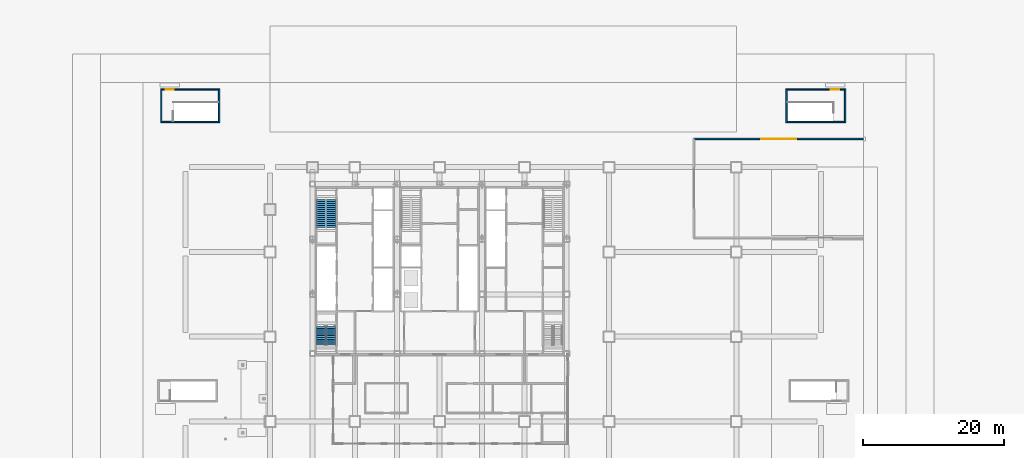
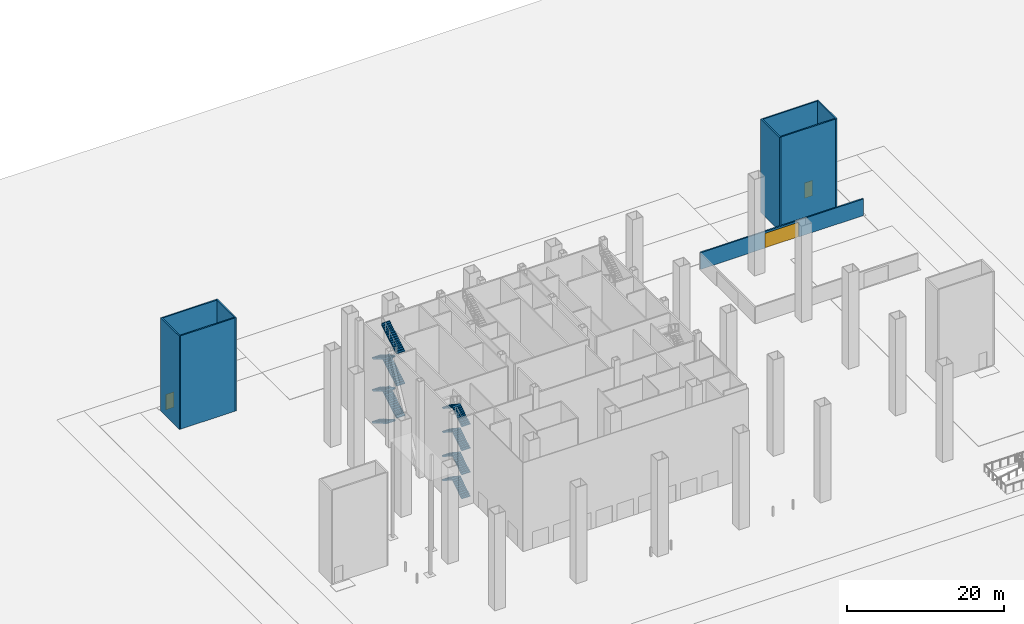
# One storey, part 10 of 22: 14 stair flights, 9 walls, 3 doors, 3 openings, 2 elements without a shape of their own.
"""IFC4 building model written with IfcOpenShell, lengths in metres."""

from ifc_helpers import new_model, si_unit, direction, frame, frame_2d, origin, place, context, subcontext, project, spatial, polyline, rectangle, outline, extrude, material, layer, layer_set, type_object, element, fill, aggregate, save


model = new_model("IFC4")

# Units and contexts
model_context = context("Model", 3, precision=1e-05, world=origin(), true_north=direction((0.0, 1.0)))
body_context = subcontext(model_context, "Body", "Model", "MODEL_VIEW")
ifc_project = project(units=[si_unit("LENGTHUNIT", "METRE"), si_unit("AREAUNIT", "SQUARE_METRE"), si_unit("VOLUMEUNIT", "CUBIC_METRE"), si_unit("PLANEANGLEUNIT", "RADIAN"), si_unit("MASSUNIT", "GRAM", prefix="KILO")], contexts=[model_context])

# Site, building, storey
site_placement = place(None, origin())
site = spatial("IfcSite", under=ifc_project, at=site_placement, CompositionType="ELEMENT")
building_placement = place(site_placement, origin())
building = spatial("IfcBuilding", under=site, at=building_placement, Name="Sorahane Residences", CompositionType="ELEMENT")
storey_placement = place(building_placement, origin())
storey = spatial("IfcBuildingStorey", under=building, at=storey_placement, Name="L00", CompositionType="ELEMENT", Elevation=0.0)

# Walls
ifc_material_1 = material(Name="Concrete blockwork C20 wall", Category="masonry")
ifc_layer_1 = layer(ifc_material_1, 0.199951171875)
ifc_layer_set_1 = layer_set([ifc_layer_1], Name="Fire wall 200 EI 120")
wall_type_1 = type_object("IfcWallType", Name="Fire wall 200 EI 120", PredefinedType="SOLIDWALL", material=ifc_layer_set_1)
for number, where, z_axis, x_axis, name in (
    (1, (-15.39990234375, 54.300048828125, 0.0), (0.0, 0.0, 1.0), (0.0, 1.0, 0.0), "L00 fire wall"),
    (2, (-7.199951171875, 54.300048828125, 0.0), (0.0, 0.0, 1.0), (0.0, 1.0, 0.0), "L00 fire wall"),
    (3, (73.10009765625, 54.300048828125, 0.0), (0.0, 0.0, 1.0), (0.0, 1.0, 0.0), "L00 fire wall"),
    (4, (81.39990234375, 54.300048828125, 0.0), (0.0, 0.0, 1.0), (0.0, 1.0, 0.0), "L00 fire wall"),
):
    element("IfcWall", number, at=place(storey_placement, frame(where, z_axis=z_axis, x_axis=x_axis)), inside=storey, type_object=wall_type_1, Name=name, PredefinedType="SOLIDWALL", context=body_context, shape_type="SweptSolid", body=[
        extrude(rectangle(XDim=4.800048828125, YDim=0.199951171875, at=frame_2d((2.39990234375, 0.0))), origin(), (0.0, 0.0, 1.0), 14.550048828125),
    ])
wall_1_placement = place(storey_placement, frame((-15.300048828125, 54.39990234375, 0.0), z_axis=(0.0, 0.0, 1.0), x_axis=(1.0, 0.0, 0.0)))
element("IfcWall", 5, at=wall_1_placement, inside=storey, type_object=wall_type_1, Name="L00 fire wall", PredefinedType="SOLIDWALL", context=body_context, shape_type="SweptSolid", body=[
    extrude(rectangle(XDim=8.0, YDim=0.199951171875, at=frame_2d((4.0, 0.0))), origin(), (0.0, 0.0, 1.0), 14.550048828125),
])
wall_2_placement = place(storey_placement, frame((73.199951171875, 54.39990234375, 0.0), z_axis=(0.0, 0.0, 1.0), x_axis=(1.0, 0.0, 0.0)))
element("IfcWall", 6, at=wall_2_placement, inside=storey, type_object=wall_type_1, Name="L00 fire wall", PredefinedType="SOLIDWALL", context=body_context, shape_type="SweptSolid", body=[
    extrude(rectangle(XDim=8.10009765625, YDim=0.199951171875, at=frame_2d((4.050048828125, 0.0))), origin(), (0.0, 0.0, 1.0), 14.550048828125),
])

# Wall, opening, door
wall_3_placement = place(storey_placement, frame((-15.300048828125, 59.0, 0.0), z_axis=(0.0, 0.0, 1.0), x_axis=(1.0, 0.0, 0.0)))
wall_3 = element("IfcWall", 7, at=wall_3_placement, inside=storey, type_object=wall_type_1, Name="L00 fire wall", PredefinedType="SOLIDWALL", context=body_context, shape_type="SweptSolid", body=[
    extrude(rectangle(XDim=8.0, YDim=0.199951171875, at=frame_2d((4.0, 0.0))), origin(), (0.0, 0.0, 1.0), 14.550048828125),
])
opening_1_placement = place(wall_3_placement, frame((0.5, 0.0, 0.0)))
opening_1 = element("IfcOpeningElement", 8, at=opening_1_placement, cuts=wall_3, Name="Opening L00-06", PredefinedType="OPENING", context=body_context, shape_type="SweptSolid", body=[
    extrude(rectangle(XDim=1.199951171875, YDim=2.39990234375, at=frame_2d((0.60009765625, 1.199951171875))), frame((0.0, 0.10986328125, 0.0), z_axis=(0.0, -1.0, 0.0), x_axis=(1.0, 0.0, 0.0)), (0.0, 0.0, 1.0), 0.219970703125),
])
ifc_material_2 = material(Name="Steel", Category="steel")
door_type_1 = type_object("IfcDoorType", Name="Stair door 1200x2400 FD60", OperationType="NOTDEFINED", PredefinedType="DOOR", material=ifc_material_2)
door_1_placement = place(opening_1_placement, origin())
door_1 = element("IfcDoor", 9, at=door_1_placement, inside=storey, type_object=door_type_1, Name="Stair door L00-06", OperationType="SINGLE_SWING_RIGHT", OverallHeight=2.39990234375, OverallWidth=1.199951171875, PredefinedType="DOOR", context=body_context, shape_type="SweptSolid", body=[
    extrude(rectangle(XDim=1.199951171875, YDim=2.39990234375, at=frame_2d((0.60009765625, 1.199951171875))), frame((0.0, 0.02490234375, 0.0), z_axis=(0.0, -1.0, 0.0), x_axis=(1.0, 0.0, 0.0)), (0.0, 0.0, 1.0), 0.050048828125),
])
fill(opening_1, door_1)

wall_4_placement = place(storey_placement, frame((73.199951171875, 59.0, 0.0), z_axis=(0.0, 0.0, 1.0), x_axis=(1.0, 0.0, 0.0)))
wall_4 = element("IfcWall", 10, at=wall_4_placement, inside=storey, type_object=wall_type_1, Name="L00 fire wall", PredefinedType="SOLIDWALL", context=body_context, shape_type="SweptSolid", body=[
    extrude(rectangle(XDim=8.10009765625, YDim=0.199951171875, at=frame_2d((4.050048828125, 0.0))), origin(), (0.0, 0.0, 1.0), 14.550048828125),
])
opening_2_placement = place(wall_4_placement, frame((6.199951171875, 0.0, 0.0)))
opening_2 = element("IfcOpeningElement", 11, at=opening_2_placement, cuts=wall_4, Name="Opening L00-07", PredefinedType="OPENING", context=body_context, shape_type="SweptSolid", body=[
    extrude(rectangle(XDim=1.199951171875, YDim=2.39990234375, at=frame_2d((0.60009765625, 1.199951171875))), frame((0.0, 0.10986328125, 0.0), z_axis=(0.0, -1.0, 0.0), x_axis=(1.0, 0.0, 0.0)), (0.0, 0.0, 1.0), 0.219970703125),
])
door_2_placement = place(opening_2_placement, origin())
door_2 = element("IfcDoor", 12, at=door_2_placement, inside=storey, type_object=door_type_1, Name="Stair door L00-07", OperationType="SINGLE_SWING_LEFT", OverallHeight=2.39990234375, OverallWidth=1.199951171875, PredefinedType="DOOR", context=body_context, shape_type="SweptSolid", body=[
    extrude(rectangle(XDim=1.199951171875, YDim=2.39990234375, at=frame_2d((0.60009765625, 1.199951171875))), frame((0.0, 0.02490234375, 0.0), z_axis=(0.0, -1.0, 0.0), x_axis=(1.0, 0.0, 0.0)), (0.0, 0.0, 1.0), 0.050048828125),
])
fill(opening_2, door_2)

ifc_material_3 = material(Name="Concrete C30", Category="concrete")
ifc_layer_2 = layer(ifc_material_3, 0.199951171875)
ifc_layer_set_2 = layer_set([ifc_layer_2], Name="Gate screen wall 200 Concrete C30")
wall_type_2 = type_object("IfcWallType", Name="Gate screen wall 200 Concrete C30", PredefinedType="SOLIDWALL", material=ifc_layer_set_2)
wall_5_placement = place(storey_placement, frame((60.0, 52.0, 0.0), z_axis=(0.0, 0.0, 1.0), x_axis=(1.0, 0.0, 0.0)))
wall_5 = element("IfcWall", 13, at=wall_5_placement, inside=storey, type_object=wall_type_2, Name="Service yard north gate screen", PredefinedType="SOLIDWALL", context=body_context, shape_type="SweptSolid", body=[
    extrude(rectangle(XDim=24.0, YDim=0.199951171875, at=frame_2d((12.0, 0.0))), origin(), (0.0, 0.0, 1.0), 2.60009765625),
])
opening_3_placement = place(wall_5_placement, frame((9.5, 0.0, 0.0)))
opening_3 = element("IfcOpeningElement", 14, at=opening_3_placement, cuts=wall_5, Name="Opening G-YN", PredefinedType="OPENING", context=body_context, shape_type="SweptSolid", body=[
    extrude(rectangle(XDim=5.0, YDim=2.300048828125, at=frame_2d((2.5, 1.14990234375))), frame((0.0, 0.10986328125, 0.0), z_axis=(0.0, -1.0, 0.0), x_axis=(1.0, 0.0, 0.0)), (0.0, 0.0, 1.0), 0.219970703125),
])
ifc_material_4 = material(Name="Galvanised steel", Category="steel")
door_type_2 = type_object("IfcDoorType", Name="Vehicle gate sliding 5000x2300 Steel", OperationType="SLIDING_TO_LEFT", PredefinedType="GATE", material=ifc_material_4)
door_3_placement = place(opening_3_placement, origin())
door_3 = element("IfcDoor", 15, at=door_3_placement, inside=storey, type_object=door_type_2, Name="Vehicle gate Service yard north", OperationType="SLIDING_TO_LEFT", OverallHeight=2.300048828125, OverallWidth=5.0, PredefinedType="GATE", context=body_context, shape_type="SweptSolid", body=[
    extrude(rectangle(XDim=5.0, YDim=2.300048828125, at=frame_2d((2.5, 1.14990234375))), frame((0.0, 0.02490234375, 0.0), z_axis=(0.0, -1.0, 0.0), x_axis=(1.0, 0.0, 0.0)), (0.0, 0.0, 1.0), 0.050048828125),
])
fill(opening_3, door_3)

# Stair, stair flights
ifc_material_5 = material(Name="Concrete C40", Category="concrete")
stair_type = type_object("IfcStairType", Name="Dog-leg stair 1250 Concrete C40", PredefinedType="HALF_TURN_STAIR", material=ifc_material_5)
stair_1_placement = place(storey_placement, origin())
stair_1 = element("IfcStair", 16, at=stair_1_placement, inside=storey, type_object=stair_type, Name="L00 Stair S1", PredefinedType="HALF_TURN_STAIR")
ifc_material_6 = material(Name="Concrete C40", Category="concrete")
stair_flight_type = type_object("IfcStairFlightType", Name="Stair flight 1250 Concrete C40", PredefinedType="STRAIGHT", material=ifc_material_6)
stair_flight_1_placement = place(storey_placement, frame((7.22509765625, 43.39990234375, 0.0), z_axis=(0.0, 0.0, 1.0), x_axis=(0.0, -1.0, 0.0)))
stair_flight_1 = element("IfcStairFlight", 17, at=stair_flight_1_placement, type_object=stair_flight_type, Name="S1 flight 1", NumberOfRisers=15, NumberOfTreads=14, PredefinedType="STRAIGHT", RiserHeight=0.166666667, TreadLength=0.28, context=body_context, shape_type="SweptSolid", body=[
    extrude(outline(polyline([(-0.00146484375, 0.0), (-0.00146484375, 0.166748046875), (0.0, 0.166748046875), (0.280029296875, 0.166748046875), (0.280029296875, 0.333251953125), (0.56005859375, 0.333251953125), (0.56005859375, 0.5), (0.840087890625, 0.5), (0.840087890625, 0.666748046875), (1.1201171875, 0.666748046875), (1.1201171875, 0.833251953125), (1.39990234375, 0.833251953125), (1.39990234375, 1.0), (1.679931640625, 1.0), (1.679931640625, 1.166748046875), (1.9599609375, 1.166748046875), (1.9599609375, 1.333251953125), (2.239990234375, 1.333251953125), (2.239990234375, 1.5), (2.52001953125, 1.5), (2.52001953125, 1.666748046875), (2.800048828125, 1.666748046875), (2.800048828125, 1.833251953125), (3.080078125, 1.833251953125), (3.080078125, 2.0), (3.360107421875, 2.0), (3.360107421875, 2.166748046875), (3.639892578125, 2.166748046875), (3.639892578125, 2.333251953125), (3.919921875, 2.333251953125), (3.919921875, 2.5), (3.919921875, 2.158935546875), (3.693359375, 2.02392578125), (3.466552734375, 1.888916015625), (3.239990234375, 1.754150390625), (3.01318359375, 1.619140625), (2.78662109375, 1.484130859375), (2.559814453125, 1.349365234375), (2.333251953125, 1.21435546875), (2.1064453125, 1.079345703125), (1.8798828125, 0.944580078125), (1.653076171875, 0.8095703125), (1.426513671875, 0.674560546875), (1.19970703125, 0.539794921875), (0.97314453125, 0.40478515625), (0.746337890625, 0.269775390625), (0.519775390625, 0.135009765625), (0.29296875, 0.0), (-0.00146484375, 0.0)])), frame((0.0, 0.625, 0.0), z_axis=(0.0, -1.0, 0.0), x_axis=(1.0, 0.0, 0.0)), (0.0, 0.0, 1.0), 1.25),
])
stair_flight_2_placement = place(storey_placement, frame((8.625, 39.47998046875, 2.5), z_axis=(0.0, 0.0, 1.0), x_axis=(0.0, 1.0, 0.0)))
stair_flight_2 = element("IfcStairFlight", 18, at=stair_flight_2_placement, type_object=stair_flight_type, Name="S1 flight 2", NumberOfRisers=15, NumberOfTreads=14, PredefinedType="STRAIGHT", RiserHeight=0.166666667, TreadLength=0.28, context=body_context, shape_type="SweptSolid", body=[
    extrude(outline(polyline([(0.0, 0.0), (0.0, 0.166748046875), (0.280029296875, 0.166748046875), (0.280029296875, 0.333251953125), (0.56005859375, 0.333251953125), (0.56005859375, 0.5), (0.840087890625, 0.5), (0.840087890625, 0.666748046875), (1.1201171875, 0.666748046875), (1.1201171875, 0.833251953125), (1.39990234375, 0.833251953125), (1.39990234375, 1.0), (1.679931640625, 1.0), (1.679931640625, 1.166748046875), (1.9599609375, 1.166748046875), (1.9599609375, 1.333251953125), (2.239990234375, 1.333251953125), (2.239990234375, 1.5), (2.52001953125, 1.5), (2.52001953125, 1.666748046875), (2.800048828125, 1.666748046875), (2.800048828125, 1.833251953125), (3.080078125, 1.833251953125), (3.080078125, 2.0), (3.360107421875, 2.0), (3.360107421875, 2.166748046875), (3.639892578125, 2.166748046875), (3.639892578125, 2.333251953125), (3.919921875, 2.333251953125), (3.919921875, 2.5), (3.919921875, 2.158935546875), (3.67822265625, 2.014892578125), (3.4365234375, 1.87109375), (3.194580078125, 1.72705078125), (2.952880859375, 1.583251953125), (2.7109375, 1.439208984375), (2.46923828125, 1.29541015625), (2.2275390625, 1.1513671875), (1.985595703125, 1.007568359375), (1.743896484375, 0.863525390625), (1.501953125, 0.7197265625), (1.26025390625, 0.57568359375), (1.0185546875, 0.431884765625), (0.776611328125, 0.287841796875), (0.534912109375, 0.14404296875), (0.29296875, 0.0), (0.0, 0.0)])), frame((0.0, 0.625, 0.0), z_axis=(0.0, -1.0, 0.0), x_axis=(1.0, 0.0, 0.0)), (0.0, 0.0, 1.0), 1.25),
])
stair_flight_3_placement = place(storey_placement, frame((7.22509765625, 43.39990234375, 5.0), z_axis=(0.0, 0.0, 1.0), x_axis=(0.0, -1.0, 0.0)))
stair_flight_3 = element("IfcStairFlight", 19, at=stair_flight_3_placement, type_object=stair_flight_type, Name="S1 flight 3", NumberOfRisers=15, NumberOfTreads=14, PredefinedType="STRAIGHT", RiserHeight=0.166666667, TreadLength=0.28, context=body_context, shape_type="SweptSolid", body=[
    extrude(outline(polyline([(0.0, 0.0), (0.0, 0.166748046875), (0.280029296875, 0.166748046875), (0.280029296875, 0.333251953125), (0.56005859375, 0.333251953125), (0.56005859375, 0.5), (0.840087890625, 0.5), (0.840087890625, 0.666748046875), (1.1201171875, 0.666748046875), (1.1201171875, 0.833251953125), (1.39990234375, 0.833251953125), (1.39990234375, 1.0), (1.679931640625, 1.0), (1.679931640625, 1.166748046875), (1.9599609375, 1.166748046875), (1.9599609375, 1.333251953125), (2.239990234375, 1.333251953125), (2.239990234375, 1.5), (2.52001953125, 1.5), (2.52001953125, 1.666748046875), (2.800048828125, 1.666748046875), (2.800048828125, 1.833251953125), (3.080078125, 1.833251953125), (3.080078125, 2.0), (3.360107421875, 2.0), (3.360107421875, 2.166748046875), (3.639892578125, 2.166748046875), (3.639892578125, 2.333251953125), (3.919921875, 2.333251953125), (3.919921875, 2.5), (3.919921875, 2.158935546875), (3.67822265625, 2.014892578125), (3.4365234375, 1.87109375), (3.194580078125, 1.72705078125), (2.952880859375, 1.583251953125), (2.7109375, 1.439208984375), (2.46923828125, 1.29541015625), (2.2275390625, 1.1513671875), (1.985595703125, 1.007568359375), (1.743896484375, 0.863525390625), (1.501953125, 0.7197265625), (1.26025390625, 0.57568359375), (1.0185546875, 0.431884765625), (0.776611328125, 0.287841796875), (0.534912109375, 0.14404296875), (0.29296875, 0.0), (0.0, 0.0)])), frame((0.0, 0.625, 0.0), z_axis=(0.0, -1.0, 0.0), x_axis=(1.0, 0.0, 0.0)), (0.0, 0.0, 1.0), 1.25),
])
stair_flight_4_placement = place(storey_placement, frame((8.625, 39.47998046875, 7.5), z_axis=(0.0, 0.0, 1.0), x_axis=(0.0, 1.0, 0.0)))
stair_flight_4 = element("IfcStairFlight", 20, at=stair_flight_4_placement, type_object=stair_flight_type, Name="S1 flight 4", NumberOfRisers=15, NumberOfTreads=14, PredefinedType="STRAIGHT", RiserHeight=0.166666667, TreadLength=0.28, context=body_context, shape_type="SweptSolid", body=[
    extrude(outline(polyline([(0.0, 0.0), (0.0, 0.166748046875), (0.280029296875, 0.166748046875), (0.280029296875, 0.333251953125), (0.56005859375, 0.333251953125), (0.56005859375, 0.5), (0.840087890625, 0.5), (0.840087890625, 0.666748046875), (1.1201171875, 0.666748046875), (1.1201171875, 0.833251953125), (1.39990234375, 0.833251953125), (1.39990234375, 1.0), (1.679931640625, 1.0), (1.679931640625, 1.166748046875), (1.9599609375, 1.166748046875), (1.9599609375, 1.333251953125), (2.239990234375, 1.333251953125), (2.239990234375, 1.5), (2.52001953125, 1.5), (2.52001953125, 1.666748046875), (2.800048828125, 1.666748046875), (2.800048828125, 1.833251953125), (3.080078125, 1.833251953125), (3.080078125, 2.0), (3.360107421875, 2.0), (3.360107421875, 2.166748046875), (3.639892578125, 2.166748046875), (3.639892578125, 2.333251953125), (3.919921875, 2.333251953125), (3.919921875, 2.5), (3.919921875, 2.158935546875), (3.67822265625, 2.014892578125), (3.4365234375, 1.87109375), (3.194580078125, 1.72705078125), (2.952880859375, 1.583251953125), (2.7109375, 1.439208984375), (2.46923828125, 1.29541015625), (2.2275390625, 1.1513671875), (1.985595703125, 1.007568359375), (1.743896484375, 0.863525390625), (1.501953125, 0.7197265625), (1.26025390625, 0.57568359375), (1.0185546875, 0.431884765625), (0.776611328125, 0.287841796875), (0.534912109375, 0.14404296875), (0.29296875, 0.0), (0.0, 0.0)])), frame((0.0, 0.625, 0.0), z_axis=(0.0, -1.0, 0.0), x_axis=(1.0, 0.0, 0.0)), (0.0, 0.0, 1.0), 1.25),
])
stair_flight_5_placement = place(storey_placement, frame((7.22509765625, 43.39990234375, 10.0), z_axis=(0.0, 0.0, 1.0), x_axis=(0.0, -1.0, 0.0)))
stair_flight_5 = element("IfcStairFlight", 21, at=stair_flight_5_placement, type_object=stair_flight_type, Name="S1 flight 5", NumberOfRisers=15, NumberOfTreads=14, PredefinedType="STRAIGHT", RiserHeight=0.166666667, TreadLength=0.28, context=body_context, shape_type="SweptSolid", body=[
    extrude(outline(polyline([(0.0, 0.0), (0.0, 0.166748046875), (0.280029296875, 0.166748046875), (0.280029296875, 0.333251953125), (0.56005859375, 0.333251953125), (0.56005859375, 0.5), (0.840087890625, 0.5), (0.840087890625, 0.666748046875), (1.1201171875, 0.666748046875), (1.1201171875, 0.833251953125), (1.39990234375, 0.833251953125), (1.39990234375, 1.0), (1.679931640625, 1.0), (1.679931640625, 1.166748046875), (1.9599609375, 1.166748046875), (1.9599609375, 1.333251953125), (2.239990234375, 1.333251953125), (2.239990234375, 1.5), (2.52001953125, 1.5), (2.52001953125, 1.666748046875), (2.800048828125, 1.666748046875), (2.800048828125, 1.833251953125), (3.080078125, 1.833251953125), (3.080078125, 2.0), (3.360107421875, 2.0), (3.360107421875, 2.166748046875), (3.639892578125, 2.166748046875), (3.639892578125, 2.333251953125), (3.919921875, 2.333251953125), (3.919921875, 2.5), (3.919921875, 2.158935546875), (3.67822265625, 2.014892578125), (3.4365234375, 1.87109375), (3.194580078125, 1.72705078125), (2.952880859375, 1.583251953125), (2.7109375, 1.439208984375), (2.46923828125, 1.29541015625), (2.2275390625, 1.1513671875), (1.985595703125, 1.007568359375), (1.743896484375, 0.863525390625), (1.501953125, 0.7197265625), (1.26025390625, 0.57568359375), (1.0185546875, 0.431884765625), (0.776611328125, 0.287841796875), (0.534912109375, 0.14404296875), (0.29296875, 0.0), (0.0, 0.0)])), frame((0.0, 0.625, 0.0), z_axis=(0.0, -1.0, 0.0), x_axis=(1.0, 0.0, 0.0)), (0.0, 0.0, 1.0), 1.25),
])
stair_flight_6_placement = place(storey_placement, frame((8.625, 39.47998046875, 12.5), z_axis=(0.0, 0.0, 1.0), x_axis=(0.0, 1.0, 0.0)))
stair_flight_6 = element("IfcStairFlight", 22, at=stair_flight_6_placement, type_object=stair_flight_type, Name="S1 flight 6", NumberOfRisers=15, NumberOfTreads=14, PredefinedType="STRAIGHT", RiserHeight=0.166666667, TreadLength=0.28, context=body_context, shape_type="SweptSolid", body=[
    extrude(outline(polyline([(0.0, 0.0), (0.0, 0.166748046875), (0.280029296875, 0.166748046875), (0.280029296875, 0.333251953125), (0.56005859375, 0.333251953125), (0.56005859375, 0.5), (0.840087890625, 0.5), (0.840087890625, 0.666748046875), (1.1201171875, 0.666748046875), (1.1201171875, 0.833251953125), (1.39990234375, 0.833251953125), (1.39990234375, 1.0), (1.679931640625, 1.0), (1.679931640625, 1.166748046875), (1.9599609375, 1.166748046875), (1.9599609375, 1.333251953125), (2.239990234375, 1.333251953125), (2.239990234375, 1.5), (2.52001953125, 1.5), (2.52001953125, 1.666748046875), (2.800048828125, 1.666748046875), (2.800048828125, 1.833251953125), (3.080078125, 1.833251953125), (3.080078125, 2.0), (3.360107421875, 2.0), (3.360107421875, 2.166748046875), (3.639892578125, 2.166748046875), (3.639892578125, 2.333251953125), (3.919921875, 2.333251953125), (3.919921875, 2.5), (3.92138671875, 2.5), (3.92138671875, 2.158935546875), (3.69482421875, 2.02392578125), (3.468017578125, 1.888916015625), (3.2412109375, 1.754150390625), (3.014404296875, 1.619140625), (2.78759765625, 1.484130859375), (2.560791015625, 1.349365234375), (2.333984375, 1.21435546875), (2.107177734375, 1.079345703125), (1.880615234375, 0.944580078125), (1.65380859375, 0.8095703125), (1.427001953125, 0.674560546875), (1.2001953125, 0.539794921875), (0.973388671875, 0.40478515625), (0.74658203125, 0.269775390625), (0.519775390625, 0.135009765625), (0.29296875, 0.0), (0.0, 0.0)])), frame((0.0, 0.625, 0.0), z_axis=(0.0, -1.0, 0.0), x_axis=(1.0, 0.0, 0.0)), (0.0, 0.0, 1.0), 1.25),
])
aggregate(stair_1, [stair_flight_1, stair_flight_2, stair_flight_3, stair_flight_4, stair_flight_5, stair_flight_6])

stair_2_placement = place(storey_placement, origin())
stair_2 = element("IfcStair", 23, at=stair_2_placement, inside=storey, type_object=stair_type, Name="L00 Stair S4", PredefinedType="HALF_TURN_STAIR")
stair_flight_7_placement = place(storey_placement, frame((8.625, 22.85009765625, 0.0), z_axis=(0.0, 0.0, 1.0), x_axis=(0.0, 1.0, 0.0)))
stair_flight_7 = element("IfcStairFlight", 24, at=stair_flight_7_placement, type_object=stair_flight_type, Name="S4 flight 1", NumberOfRisers=11, NumberOfTreads=10, PredefinedType="STRAIGHT", RiserHeight=0.170454545, TreadLength=0.26, context=body_context, shape_type="SweptSolid", body=[
    extrude(outline(polyline([(-0.00146484375, 0.0), (-0.00146484375, 0.17041015625), (0.0, 0.17041015625), (0.260009765625, 0.17041015625), (0.260009765625, 0.3408203125), (0.52001953125, 0.3408203125), (0.52001953125, 0.511474609375), (0.780029296875, 0.511474609375), (0.780029296875, 0.681884765625), (1.0400390625, 0.681884765625), (1.0400390625, 0.852294921875), (1.300048828125, 0.852294921875), (1.300048828125, 1.022705078125), (1.56005859375, 1.022705078125), (1.56005859375, 1.193115234375), (1.820068359375, 1.193115234375), (1.820068359375, 1.363525390625), (2.080078125, 1.363525390625), (2.080078125, 1.5341796875), (2.340087890625, 1.5341796875), (2.340087890625, 1.70458984375), (2.60009765625, 1.70458984375), (2.60009765625, 1.875), (2.60009765625, 1.56103515625), (2.401611328125, 1.430908203125), (2.203125, 1.30078125), (2.0048828125, 1.170654296875), (1.806396484375, 1.04052734375), (1.60791015625, 0.91064453125), (1.409423828125, 0.780517578125), (1.211181640625, 0.650390625), (1.0126953125, 0.520263671875), (0.814208984375, 0.39013671875), (0.615966796875, 0.26025390625), (0.41748046875, 0.130126953125), (0.218994140625, 0.0), (-0.00146484375, 0.0)])), frame((0.0, 0.625, 0.0), z_axis=(0.0, -1.0, 0.0), x_axis=(1.0, 0.0, 0.0)), (0.0, 0.0, 1.0), 1.25),
])
stair_flight_8_placement = place(storey_placement, frame((7.22509765625, 25.449951171875, 1.875), z_axis=(0.0, 0.0, 1.0), x_axis=(0.0, -1.0, 0.0)))
stair_flight_8 = element("IfcStairFlight", 25, at=stair_flight_8_placement, type_object=stair_flight_type, Name="S4 flight 2", NumberOfRisers=11, NumberOfTreads=10, PredefinedType="STRAIGHT", RiserHeight=0.170454545, TreadLength=0.26, context=body_context, shape_type="SweptSolid", body=[
    extrude(outline(polyline([(0.0, 0.0), (0.0, 0.17041015625), (0.260009765625, 0.17041015625), (0.260009765625, 0.3408203125), (0.52001953125, 0.3408203125), (0.52001953125, 0.511474609375), (0.780029296875, 0.511474609375), (0.780029296875, 0.681884765625), (1.0400390625, 0.681884765625), (1.0400390625, 0.852294921875), (1.300048828125, 0.852294921875), (1.300048828125, 1.022705078125), (1.56005859375, 1.022705078125), (1.56005859375, 1.193115234375), (1.820068359375, 1.193115234375), (1.820068359375, 1.363525390625), (2.080078125, 1.363525390625), (2.080078125, 1.5341796875), (2.340087890625, 1.5341796875), (2.340087890625, 1.70458984375), (2.60009765625, 1.70458984375), (2.60009765625, 1.875), (2.60009765625, 1.56103515625), (2.383544921875, 1.4189453125), (2.1669921875, 1.277099609375), (1.95068359375, 1.13525390625), (1.734130859375, 0.993408203125), (1.517822265625, 0.851318359375), (1.30126953125, 0.70947265625), (1.0849609375, 0.567626953125), (0.868408203125, 0.42578125), (0.65185546875, 0.28369140625), (0.435546875, 0.141845703125), (0.218994140625, 0.0), (0.0, 0.0)])), frame((0.0, 0.625, 0.0), z_axis=(0.0, -1.0, 0.0), x_axis=(1.0, 0.0, 0.0)), (0.0, 0.0, 1.0), 1.25),
])
stair_flight_9_placement = place(storey_placement, frame((8.625, 22.85009765625, 3.75), z_axis=(0.0, 0.0, 1.0), x_axis=(0.0, 1.0, 0.0)))
stair_flight_9 = element("IfcStairFlight", 26, at=stair_flight_9_placement, type_object=stair_flight_type, Name="S4 flight 3", NumberOfRisers=11, NumberOfTreads=10, PredefinedType="STRAIGHT", RiserHeight=0.170454545, TreadLength=0.26, context=body_context, shape_type="SweptSolid", body=[
    extrude(outline(polyline([(0.0, 0.0), (0.0, 0.17041015625), (0.260009765625, 0.17041015625), (0.260009765625, 0.3408203125), (0.52001953125, 0.3408203125), (0.52001953125, 0.511474609375), (0.780029296875, 0.511474609375), (0.780029296875, 0.681884765625), (1.0400390625, 0.681884765625), (1.0400390625, 0.852294921875), (1.300048828125, 0.852294921875), (1.300048828125, 1.022705078125), (1.56005859375, 1.022705078125), (1.56005859375, 1.193115234375), (1.820068359375, 1.193115234375), (1.820068359375, 1.363525390625), (2.080078125, 1.363525390625), (2.080078125, 1.5341796875), (2.340087890625, 1.5341796875), (2.340087890625, 1.70458984375), (2.60009765625, 1.70458984375), (2.60009765625, 1.875), (2.60009765625, 1.56103515625), (2.383544921875, 1.4189453125), (2.1669921875, 1.277099609375), (1.95068359375, 1.13525390625), (1.734130859375, 0.993408203125), (1.517822265625, 0.851318359375), (1.30126953125, 0.70947265625), (1.0849609375, 0.567626953125), (0.868408203125, 0.42578125), (0.65185546875, 0.28369140625), (0.435546875, 0.141845703125), (0.218994140625, 0.0), (0.0, 0.0)])), frame((0.0, 0.625, 0.0), z_axis=(0.0, -1.0, 0.0), x_axis=(1.0, 0.0, 0.0)), (0.0, 0.0, 1.0), 1.25),
])
stair_flight_10_placement = place(storey_placement, frame((7.22509765625, 25.449951171875, 5.625), z_axis=(0.0, 0.0, 1.0), x_axis=(0.0, -1.0, 0.0)))
stair_flight_10 = element("IfcStairFlight", 27, at=stair_flight_10_placement, type_object=stair_flight_type, Name="S4 flight 4", NumberOfRisers=11, NumberOfTreads=10, PredefinedType="STRAIGHT", RiserHeight=0.170454545, TreadLength=0.26, context=body_context, shape_type="SweptSolid", body=[
    extrude(outline(polyline([(0.0, 0.0), (0.0, 0.17041015625), (0.260009765625, 0.17041015625), (0.260009765625, 0.3408203125), (0.52001953125, 0.3408203125), (0.52001953125, 0.511474609375), (0.780029296875, 0.511474609375), (0.780029296875, 0.681884765625), (1.0400390625, 0.681884765625), (1.0400390625, 0.852294921875), (1.300048828125, 0.852294921875), (1.300048828125, 1.022705078125), (1.56005859375, 1.022705078125), (1.56005859375, 1.193115234375), (1.820068359375, 1.193115234375), (1.820068359375, 1.363525390625), (2.080078125, 1.363525390625), (2.080078125, 1.5341796875), (2.340087890625, 1.5341796875), (2.340087890625, 1.70458984375), (2.60009765625, 1.70458984375), (2.60009765625, 1.875), (2.60009765625, 1.56103515625), (2.383544921875, 1.4189453125), (2.1669921875, 1.277099609375), (1.95068359375, 1.13525390625), (1.734130859375, 0.993408203125), (1.517822265625, 0.851318359375), (1.30126953125, 0.70947265625), (1.0849609375, 0.567626953125), (0.868408203125, 0.42578125), (0.65185546875, 0.28369140625), (0.435546875, 0.141845703125), (0.218994140625, 0.0), (0.0, 0.0)])), frame((0.0, 0.625, 0.0), z_axis=(0.0, -1.0, 0.0), x_axis=(1.0, 0.0, 0.0)), (0.0, 0.0, 1.0), 1.25),
])
stair_flight_11_placement = place(storey_placement, frame((8.625, 22.85009765625, 7.5), z_axis=(0.0, 0.0, 1.0), x_axis=(0.0, 1.0, 0.0)))
stair_flight_11 = element("IfcStairFlight", 28, at=stair_flight_11_placement, type_object=stair_flight_type, Name="S4 flight 5", NumberOfRisers=11, NumberOfTreads=10, PredefinedType="STRAIGHT", RiserHeight=0.170454545, TreadLength=0.26, context=body_context, shape_type="SweptSolid", body=[
    extrude(outline(polyline([(0.0, 0.0), (0.0, 0.17041015625), (0.260009765625, 0.17041015625), (0.260009765625, 0.3408203125), (0.52001953125, 0.3408203125), (0.52001953125, 0.511474609375), (0.780029296875, 0.511474609375), (0.780029296875, 0.681884765625), (1.0400390625, 0.681884765625), (1.0400390625, 0.852294921875), (1.300048828125, 0.852294921875), (1.300048828125, 1.022705078125), (1.56005859375, 1.022705078125), (1.56005859375, 1.193115234375), (1.820068359375, 1.193115234375), (1.820068359375, 1.363525390625), (2.080078125, 1.363525390625), (2.080078125, 1.5341796875), (2.340087890625, 1.5341796875), (2.340087890625, 1.70458984375), (2.60009765625, 1.70458984375), (2.60009765625, 1.875), (2.60009765625, 1.56103515625), (2.383544921875, 1.4189453125), (2.1669921875, 1.277099609375), (1.95068359375, 1.13525390625), (1.734130859375, 0.993408203125), (1.517822265625, 0.851318359375), (1.30126953125, 0.70947265625), (1.0849609375, 0.567626953125), (0.868408203125, 0.42578125), (0.65185546875, 0.28369140625), (0.435546875, 0.141845703125), (0.218994140625, 0.0), (0.0, 0.0)])), frame((0.0, 0.625, 0.0), z_axis=(0.0, -1.0, 0.0), x_axis=(1.0, 0.0, 0.0)), (0.0, 0.0, 1.0), 1.25),
])
stair_flight_12_placement = place(storey_placement, frame((7.22509765625, 25.449951171875, 9.375), z_axis=(0.0, 0.0, 1.0), x_axis=(0.0, -1.0, 0.0)))
stair_flight_12 = element("IfcStairFlight", 29, at=stair_flight_12_placement, type_object=stair_flight_type, Name="S4 flight 6", NumberOfRisers=11, NumberOfTreads=10, PredefinedType="STRAIGHT", RiserHeight=0.170454545, TreadLength=0.26, context=body_context, shape_type="SweptSolid", body=[
    extrude(outline(polyline([(0.0, 0.0), (0.0, 0.17041015625), (0.260009765625, 0.17041015625), (0.260009765625, 0.3408203125), (0.52001953125, 0.3408203125), (0.52001953125, 0.511474609375), (0.780029296875, 0.511474609375), (0.780029296875, 0.681884765625), (1.0400390625, 0.681884765625), (1.0400390625, 0.852294921875), (1.300048828125, 0.852294921875), (1.300048828125, 1.022705078125), (1.56005859375, 1.022705078125), (1.56005859375, 1.193115234375), (1.820068359375, 1.193115234375), (1.820068359375, 1.363525390625), (2.080078125, 1.363525390625), (2.080078125, 1.5341796875), (2.340087890625, 1.5341796875), (2.340087890625, 1.70458984375), (2.60009765625, 1.70458984375), (2.60009765625, 1.875), (2.60009765625, 1.56103515625), (2.383544921875, 1.4189453125), (2.1669921875, 1.277099609375), (1.95068359375, 1.13525390625), (1.734130859375, 0.993408203125), (1.517822265625, 0.851318359375), (1.30126953125, 0.70947265625), (1.0849609375, 0.567626953125), (0.868408203125, 0.42578125), (0.65185546875, 0.28369140625), (0.435546875, 0.141845703125), (0.218994140625, 0.0), (0.0, 0.0)])), frame((0.0, 0.625, 0.0), z_axis=(0.0, -1.0, 0.0), x_axis=(1.0, 0.0, 0.0)), (0.0, 0.0, 1.0), 1.25),
])
stair_flight_13_placement = place(storey_placement, frame((8.625, 22.85009765625, 11.25), z_axis=(0.0, 0.0, 1.0), x_axis=(0.0, 1.0, 0.0)))
stair_flight_13 = element("IfcStairFlight", 30, at=stair_flight_13_placement, type_object=stair_flight_type, Name="S4 flight 7", NumberOfRisers=11, NumberOfTreads=10, PredefinedType="STRAIGHT", RiserHeight=0.170454545, TreadLength=0.26, context=body_context, shape_type="SweptSolid", body=[
    extrude(outline(polyline([(0.0, 0.0), (0.0, 0.17041015625), (0.260009765625, 0.17041015625), (0.260009765625, 0.3408203125), (0.52001953125, 0.3408203125), (0.52001953125, 0.511474609375), (0.780029296875, 0.511474609375), (0.780029296875, 0.681884765625), (1.0400390625, 0.681884765625), (1.0400390625, 0.852294921875), (1.300048828125, 0.852294921875), (1.300048828125, 1.022705078125), (1.56005859375, 1.022705078125), (1.56005859375, 1.193115234375), (1.820068359375, 1.193115234375), (1.820068359375, 1.363525390625), (2.080078125, 1.363525390625), (2.080078125, 1.5341796875), (2.340087890625, 1.5341796875), (2.340087890625, 1.70458984375), (2.60009765625, 1.70458984375), (2.60009765625, 1.875), (2.60009765625, 1.56103515625), (2.383544921875, 1.4189453125), (2.1669921875, 1.277099609375), (1.95068359375, 1.13525390625), (1.734130859375, 0.993408203125), (1.517822265625, 0.851318359375), (1.30126953125, 0.70947265625), (1.0849609375, 0.567626953125), (0.868408203125, 0.42578125), (0.65185546875, 0.28369140625), (0.435546875, 0.141845703125), (0.218994140625, 0.0), (0.0, 0.0)])), frame((0.0, 0.625, 0.0), z_axis=(0.0, -1.0, 0.0), x_axis=(1.0, 0.0, 0.0)), (0.0, 0.0, 1.0), 1.25),
])
stair_flight_14_placement = place(storey_placement, frame((7.22509765625, 25.449951171875, 13.125), z_axis=(0.0, 0.0, 1.0), x_axis=(0.0, -1.0, 0.0)))
stair_flight_14 = element("IfcStairFlight", 31, at=stair_flight_14_placement, type_object=stair_flight_type, Name="S4 flight 8", NumberOfRisers=11, NumberOfTreads=10, PredefinedType="STRAIGHT", RiserHeight=0.170454545, TreadLength=0.26, context=body_context, shape_type="SweptSolid", body=[
    extrude(outline(polyline([(0.0, 0.0), (0.0, 0.17041015625), (0.260009765625, 0.17041015625), (0.260009765625, 0.3408203125), (0.52001953125, 0.3408203125), (0.52001953125, 0.511474609375), (0.780029296875, 0.511474609375), (0.780029296875, 0.681884765625), (1.0400390625, 0.681884765625), (1.0400390625, 0.852294921875), (1.300048828125, 0.852294921875), (1.300048828125, 1.022705078125), (1.56005859375, 1.022705078125), (1.56005859375, 1.193115234375), (1.820068359375, 1.193115234375), (1.820068359375, 1.363525390625), (2.080078125, 1.363525390625), (2.080078125, 1.5341796875), (2.340087890625, 1.5341796875), (2.340087890625, 1.70458984375), (2.60009765625, 1.70458984375), (2.60009765625, 1.875), (2.6015625, 1.875), (2.6015625, 1.56103515625), (2.403076171875, 1.430908203125), (2.204345703125, 1.30078125), (2.005859375, 1.170654296875), (1.807373046875, 1.04052734375), (1.60888671875, 0.91064453125), (1.410400390625, 0.780517578125), (1.211669921875, 0.650390625), (1.01318359375, 0.520263671875), (0.814697265625, 0.39013671875), (0.6162109375, 0.26025390625), (0.417724609375, 0.130126953125), (0.218994140625, 0.0), (0.0, 0.0)])), frame((0.0, 0.625, 0.0), z_axis=(0.0, -1.0, 0.0), x_axis=(1.0, 0.0, 0.0)), (0.0, 0.0, 1.0), 1.25),
])
aggregate(stair_2, [stair_flight_7, stair_flight_8, stair_flight_9, stair_flight_10, stair_flight_11, stair_flight_12, stair_flight_13, stair_flight_14])

save(model, "model.ifc")
